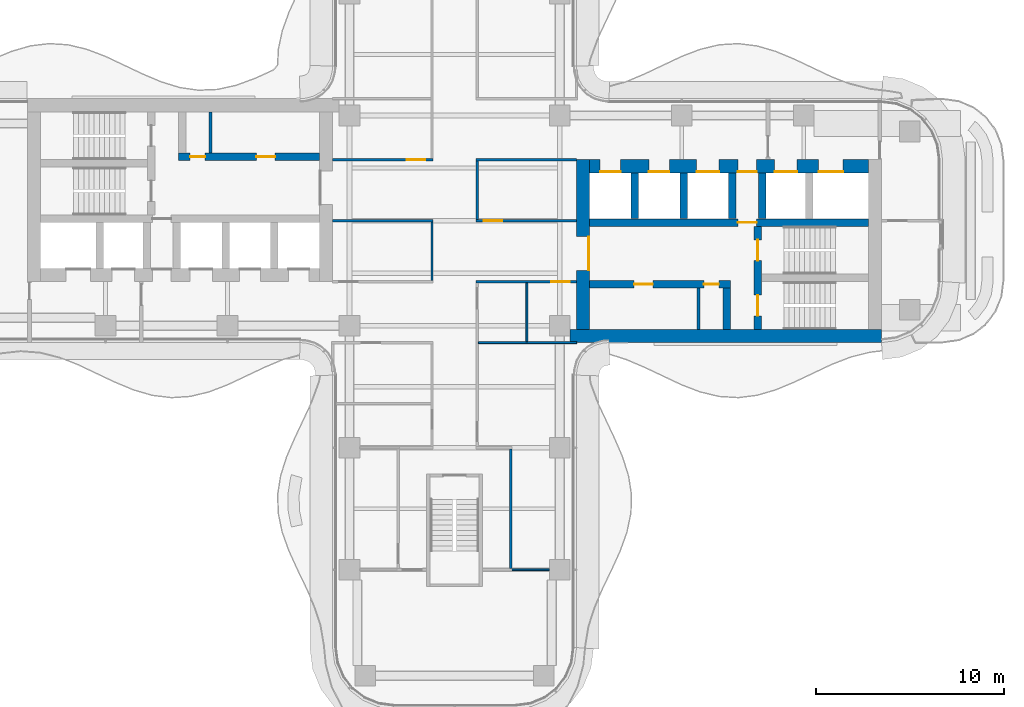
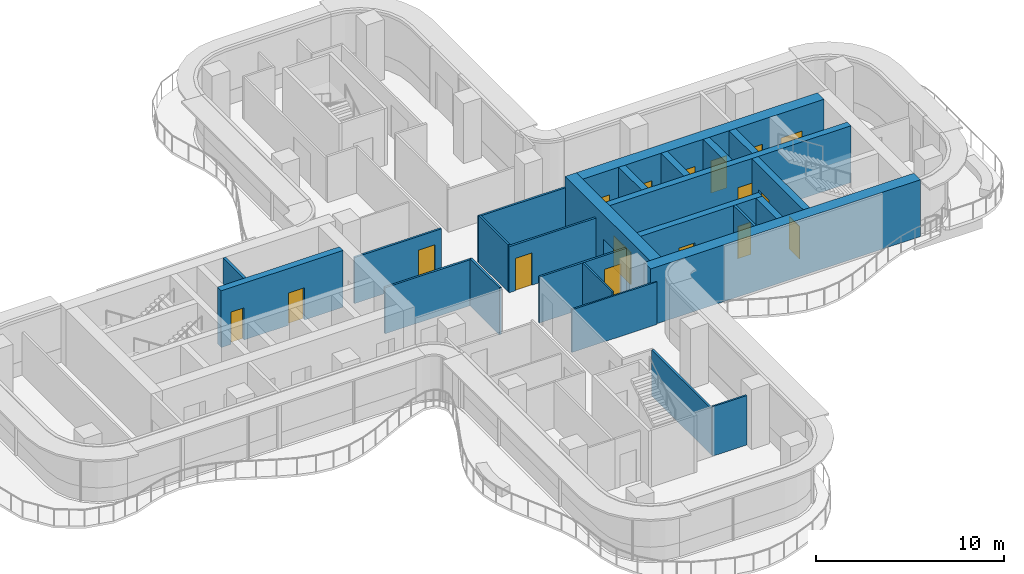
# One storey, part 13 of 17: 25 walls, 17 doors, 17 openings.
"""IFC4 building model written with IfcOpenShell, lengths in metres."""

from ifc_helpers import new_model, si_unit, direction, frame, frame_2d, origin, place, context, subcontext, project, spatial, rectangle, extrude, source, transform, mapped, material, layer, layer_set, type_object, element, fill, save


model = new_model("IFC4")

# Units and contexts
model_context = context("Model", 3, precision=1e-05, world=origin(), true_north=direction((0.0, 1.0)))
body_context = subcontext(model_context, "Body", "Model", "MODEL_VIEW")
ifc_project = project(units=[si_unit("LENGTHUNIT", "METRE"), si_unit("AREAUNIT", "SQUARE_METRE"), si_unit("VOLUMEUNIT", "CUBIC_METRE"), si_unit("PLANEANGLEUNIT", "RADIAN"), si_unit("MASSUNIT", "GRAM", prefix="KILO")], contexts=[model_context])

# Site, building, storey
site_placement = place(None, origin())
site = spatial("IfcSite", under=ifc_project, at=site_placement, CompositionType="ELEMENT")
building_placement = place(site_placement, origin())
building = spatial("IfcBuilding", under=site, at=building_placement, Name="Trellis Farm Tower", CompositionType="ELEMENT")
storey_placement = place(building_placement, frame((0.0, 0.0, 220.699951171875)))
storey = spatial("IfcBuildingStorey", under=building, at=storey_placement, Name="L48", CompositionType="ELEMENT", Elevation=220.699951171875)

# Wall, opening, door
ifc_material_1 = material(Name="Concrete C60/75", Category="concrete")
ifc_layer_1 = layer(ifc_material_1, 0.699951171875)
ifc_layer_set_1 = layer_set([ifc_layer_1], Name="CORE OUTER WALL 700 CONCRETE C60/75")
wall_type_1 = type_object("IfcWallType", Name="CORE OUTER WALL 700 CONCRETE C60/75", PredefinedType="SHEAR", material=ifc_layer_set_1)
shared_shape_1 = source(origin(), body_context, "Body", "SweptSolid", [
    extrude(rectangle(XDim=9.050048828125, YDim=0.699951171875, at=frame_2d((4.52490234375, 0.0))), origin(), (0.0, 0.0, 1.0), 3.699951171875),
])
wall_1_placement = place(storey_placement, frame((6.85009765625, -5.800048828125, 0.0), z_axis=(0.0, 0.0, 1.0), x_axis=(0.0, 1.0, 0.0)))
wall_1 = element("IfcWall", 1, at=wall_1_placement, inside=storey, type_object=wall_type_1, Name="Core wall", PredefinedType="SHEAR", context=body_context, shape_type="MappedRepresentation", body=[
    mapped(shared_shape_1, transform((0.0, 0.0, 0.0))),
])
shared_shape_2 = source(origin(), body_context, "Body", "SweptSolid", [
    extrude(rectangle(XDim=1.800048828125, YDim=2.10009765625, at=frame_2d((0.89990234375, 1.050048828125))), frame((0.0, 0.360107421875, 0.0), z_axis=(0.0, -1.0, 0.0), x_axis=(1.0, 0.0, 0.0)), (0.0, 0.0, 1.0), 0.72021484375),
])
opening_1_placement = place(wall_1_placement, frame((3.14990234375, 0.0, 0.0)))
opening_1 = element("IfcOpeningElement", 2, at=opening_1_placement, cuts=wall_1, Name="Opening DC1", PredefinedType="OPENING", context=body_context, shape_type="MappedRepresentation", body=[
    mapped(shared_shape_2, transform((0.0, 0.0, 0.0))),
])
ifc_material_2 = material(Name="Steel", Category="steel")
door_type_1 = type_object("IfcDoorType", Name="CORE FIRE DOOR DOUBLE 1800 X 2100", OperationType="DOUBLE_DOOR_SINGLE_SWING", PredefinedType="DOOR", material=ifc_material_2)
shared_shape_3 = source(origin(), body_context, "Body", "SweptSolid", [
    extrude(rectangle(XDim=1.800048828125, YDim=2.10009765625, at=frame_2d((0.89990234375, 1.050048828125))), frame((0.0, -0.27490234375, 0.0), z_axis=(0.0, -1.0, 0.0), x_axis=(1.0, 0.0, 0.0)), (0.0, 0.0, 1.0), 0.050048828125),
])
door_1_placement = place(opening_1_placement, origin())
door_1 = element("IfcDoor", 3, at=door_1_placement, inside=storey, type_object=door_type_1, Name="Core door", OperationType="DOUBLE_DOOR_SINGLE_SWING", OverallHeight=2.10009765625, OverallWidth=1.800048828125, PredefinedType="DOOR", context=body_context, shape_type="MappedRepresentation", body=[
    mapped(shared_shape_3, transform((0.0, 0.0, 0.0))),
])
fill(opening_1, door_1)

# Walls
ifc_layer_2 = layer(ifc_material_1, 0.39990234375)
ifc_layer_set_2 = layer_set([ifc_layer_2], Name="CORE INNER WALL 400 CONCRETE C60/75")
wall_type_2 = type_object("IfcWallType", Name="CORE INNER WALL 400 CONCRETE C60/75", PredefinedType="SHEAR", material=ifc_layer_set_2)
shared_shape_4 = source(origin(), body_context, "Body", "SweptSolid", [
    extrude(rectangle(XDim=2.449951171875, YDim=0.39990234375, at=frame_2d((1.22509765625, 0.0))), origin(), (0.0, 0.0, 1.0), 3.699951171875),
])
for number, where, z_axis, x_axis, name in (
    (4, (9.60009765625, 0.10009765625, 0.0), (0.0, 0.0, 1.0), (0.0, 1.0, 0.0), "Core wall"),
    (5, (12.199951171875, 0.10009765625, 0.0), (0.0, 0.0, 1.0), (0.0, 1.0, 0.0), "Core wall"),
    (6, (14.800048828125, 0.10009765625, 0.0), (0.0, 0.0, 1.0), (0.0, 1.0, 0.0), "Core wall"),
    (7, (16.39990234375, 0.10009765625, 0.0), (0.0, 0.0, 1.0), (0.0, 1.0, 0.0), "Core wall"),
):
    element("IfcWall", number, at=place(storey_placement, frame(where, z_axis=z_axis, x_axis=x_axis)), inside=storey, type_object=wall_type_2, Name=name, PredefinedType="SHEAR", context=body_context, shape_type="MappedRepresentation", body=[
        mapped(shared_shape_4, transform((0.0, 0.0, 0.0))),
    ])

# Wall, openings, doors
shared_shape_5 = source(origin(), body_context, "Body", "SweptSolid", [
    extrude(rectangle(XDim=14.85009765625, YDim=0.699951171875, at=frame_2d((7.425048828125, 0.0))), origin(), (0.0, 0.0, 1.0), 3.699951171875),
])
wall_2_placement = place(storey_placement, frame((7.199951171875, 2.89990234375, 0.0), z_axis=(0.0, 0.0, 1.0), x_axis=(1.0, 0.0, 0.0)))
wall_2 = element("IfcWall", 8, at=wall_2_placement, inside=storey, type_object=wall_type_1, Name="Core wall", PredefinedType="SHEAR", context=body_context, shape_type="MappedRepresentation", body=[
    mapped(shared_shape_5, transform((0.0, 0.0, 0.0))),
])
shared_shape_6 = source(origin(), body_context, "Body", "SweptSolid", [
    extrude(rectangle(XDim=1.10009765625, YDim=2.10009765625, at=frame_2d((0.550048828125, 1.050048828125))), frame((0.0, 0.360107421875, 0.0), z_axis=(0.0, -1.0, 0.0), x_axis=(1.0, 0.0, 0.0)), (0.0, 0.0, 1.0), 0.72021484375),
])
opening_2_placement = place(wall_2_placement, frame((0.550048828125, 0.0, 0.0)))
opening_2 = element("IfcOpeningElement", 9, at=opening_2_placement, cuts=wall_2, Name="Opening LD4", PredefinedType="OPENING", context=body_context, shape_type="MappedRepresentation", body=[
    mapped(shared_shape_6, transform((0.0, 0.0, 0.0))),
])
opening_3_placement = place(wall_2_placement, frame((3.14990234375, 0.0, 0.0)))
opening_3 = element("IfcOpeningElement", 10, at=opening_3_placement, cuts=wall_2, Name="Opening LD5", PredefinedType="OPENING", context=body_context, shape_type="MappedRepresentation", body=[
    mapped(shared_shape_6, transform((0.0, 0.0, 0.0))),
])
shared_shape_7 = source(origin(), body_context, "Body", "SweptSolid", [
    extrude(rectangle(XDim=1.199951171875, YDim=2.10009765625, at=frame_2d((0.60009765625, 1.050048828125))), frame((0.0, 0.360107421875, 0.0), z_axis=(0.0, -1.0, 0.0), x_axis=(1.0, 0.0, 0.0)), (0.0, 0.0, 1.0), 0.72021484375),
])
opening_4_placement = place(wall_2_placement, frame((5.699951171875, 0.0, 0.0)))
opening_4 = element("IfcOpeningElement", 11, at=opening_4_placement, cuts=wall_2, Name="Opening LD6", PredefinedType="OPENING", context=body_context, shape_type="MappedRepresentation", body=[
    mapped(shared_shape_7, transform((0.0, 0.0, 0.0))),
])
shared_shape_8 = source(origin(), body_context, "Body", "SweptSolid", [
    extrude(rectangle(XDim=1.300048828125, YDim=2.10009765625, at=frame_2d((0.64990234375, 1.050048828125))), frame((0.0, 0.360107421875, 0.0), z_axis=(0.0, -1.0, 0.0), x_axis=(1.0, 0.0, 0.0)), (0.0, 0.0, 1.0), 0.72021484375),
])
opening_5_placement = place(wall_2_placement, frame((12.199951171875, 0.0, 0.0)))
opening_5 = element("IfcOpeningElement", 12, at=opening_5_placement, cuts=wall_2, Name="Opening LD7", PredefinedType="OPENING", context=body_context, shape_type="MappedRepresentation", body=[
    mapped(shared_shape_8, transform((0.0, 0.0, 0.0))),
])
opening_6_placement = place(wall_2_placement, frame((9.85009765625, 0.0, 0.0)))
opening_6 = element("IfcOpeningElement", 13, at=opening_6_placement, cuts=wall_2, Name="Opening LD8", PredefinedType="OPENING", context=body_context, shape_type="MappedRepresentation", body=[
    mapped(shared_shape_7, transform((0.0, 0.0, 0.0))),
])
shared_shape_9 = source(origin(), body_context, "Body", "SweptSolid", [
    extrude(rectangle(XDim=1.0, YDim=2.10009765625, at=frame_2d((0.5, 1.050048828125))), frame((0.0, 0.360107421875, 0.0), z_axis=(0.0, -1.0, 0.0), x_axis=(1.0, 0.0, 0.0)), (0.0, 0.0, 1.0), 0.72021484375),
])
opening_7_placement = place(wall_2_placement, frame((7.89990234375, 0.0, 0.0)))
opening_7 = element("IfcOpeningElement", 14, at=opening_7_placement, cuts=wall_2, Name="Opening DC6", PredefinedType="OPENING", context=body_context, shape_type="MappedRepresentation", body=[
    mapped(shared_shape_9, transform((0.0, 0.0, 0.0))),
])
door_type_2 = type_object("IfcDoorType", Name="CORE FIRE DOOR 1000 X 2100", OperationType="NOTDEFINED", PredefinedType="DOOR", material=ifc_material_2)
shared_shape_10 = source(origin(), body_context, "Body", "SweptSolid", [
    extrude(rectangle(XDim=1.0, YDim=2.10009765625, at=frame_2d((0.5, 1.050048828125))), frame((0.0, -0.27490234375, 0.0), z_axis=(0.0, -1.0, 0.0), x_axis=(1.0, 0.0, 0.0)), (0.0, 0.0, 1.0), 0.050048828125),
])
door_2_placement = place(opening_7_placement, origin())
door_2 = element("IfcDoor", 15, at=door_2_placement, inside=storey, type_object=door_type_2, Name="Core door", OperationType="SINGLE_SWING_LEFT", OverallHeight=2.10009765625, OverallWidth=1.0, PredefinedType="DOOR", context=body_context, shape_type="MappedRepresentation", body=[
    mapped(shared_shape_10, transform((0.0, 0.0, 0.0))),
])
fill(opening_7, door_2)
ifc_material_3 = material(Name="Stainless steel", Category="steel")
door_type_3 = type_object("IfcDoorType", Name="LIFT LANDING DOOR 1300 X 2100", OperationType="DOUBLE_DOOR_SLIDING", PredefinedType="DOOR", material=ifc_material_3)
shared_shape_11 = source(origin(), body_context, "Body", "SweptSolid", [
    extrude(rectangle(XDim=1.300048828125, YDim=2.10009765625, at=frame_2d((0.64990234375, 1.050048828125))), frame((0.0, -0.27490234375, 0.0), z_axis=(0.0, -1.0, 0.0), x_axis=(1.0, 0.0, 0.0)), (0.0, 0.0, 1.0), 0.050048828125),
])
door_3_placement = place(opening_5_placement, origin())
door_3 = element("IfcDoor", 16, at=door_3_placement, inside=storey, type_object=door_type_3, Name="Lift landing door", OperationType="DOUBLE_DOOR_SLIDING", OverallHeight=2.10009765625, OverallWidth=1.300048828125, PredefinedType="DOOR", context=body_context, shape_type="MappedRepresentation", body=[
    mapped(shared_shape_11, transform((0.0, 0.0, 0.0))),
])
fill(opening_5, door_3)
door_type_4 = type_object("IfcDoorType", Name="LIFT LANDING DOOR 1200 X 2100", OperationType="DOUBLE_DOOR_SLIDING", PredefinedType="DOOR", material=ifc_material_3)
shared_shape_12 = source(origin(), body_context, "Body", "SweptSolid", [
    extrude(rectangle(XDim=1.199951171875, YDim=2.10009765625, at=frame_2d((0.60009765625, 1.050048828125))), frame((0.0, -0.27490234375, 0.0), z_axis=(0.0, -1.0, 0.0), x_axis=(1.0, 0.0, 0.0)), (0.0, 0.0, 1.0), 0.050048828125),
])
door_4_placement = place(opening_4_placement, origin())
door_4 = element("IfcDoor", 17, at=door_4_placement, inside=storey, type_object=door_type_4, Name="Lift landing door", OperationType="DOUBLE_DOOR_SLIDING", OverallHeight=2.10009765625, OverallWidth=1.199951171875, PredefinedType="DOOR", context=body_context, shape_type="MappedRepresentation", body=[
    mapped(shared_shape_12, transform((0.0, 0.0, 0.0))),
])
fill(opening_4, door_4)
door_5_placement = place(opening_6_placement, origin())
door_5 = element("IfcDoor", 18, at=door_5_placement, inside=storey, type_object=door_type_4, Name="Lift landing door", OperationType="DOUBLE_DOOR_SLIDING", OverallHeight=2.10009765625, OverallWidth=1.199951171875, PredefinedType="DOOR", context=body_context, shape_type="MappedRepresentation", body=[
    mapped(shared_shape_12, transform((0.0, 0.0, 0.0))),
])
fill(opening_6, door_5)
door_type_5 = type_object("IfcDoorType", Name="LIFT LANDING DOOR 1100 X 2100", OperationType="DOUBLE_DOOR_SLIDING", PredefinedType="DOOR", material=ifc_material_3)
shared_shape_13 = source(origin(), body_context, "Body", "SweptSolid", [
    extrude(rectangle(XDim=1.10009765625, YDim=2.10009765625, at=frame_2d((0.550048828125, 1.050048828125))), frame((0.0, -0.27490234375, 0.0), z_axis=(0.0, -1.0, 0.0), x_axis=(1.0, 0.0, 0.0)), (0.0, 0.0, 1.0), 0.050048828125),
])
door_6_placement = place(opening_2_placement, origin())
door_6 = element("IfcDoor", 19, at=door_6_placement, inside=storey, type_object=door_type_5, Name="Lift landing door", OperationType="DOUBLE_DOOR_SLIDING", OverallHeight=2.10009765625, OverallWidth=1.10009765625, PredefinedType="DOOR", context=body_context, shape_type="MappedRepresentation", body=[
    mapped(shared_shape_13, transform((0.0, 0.0, 0.0))),
])
fill(opening_2, door_6)
door_7_placement = place(opening_3_placement, origin())
door_7 = element("IfcDoor", 20, at=door_7_placement, inside=storey, type_object=door_type_5, Name="Lift landing door", OperationType="DOUBLE_DOOR_SLIDING", OverallHeight=2.10009765625, OverallWidth=1.10009765625, PredefinedType="DOOR", context=body_context, shape_type="MappedRepresentation", body=[
    mapped(shared_shape_13, transform((0.0, 0.0, 0.0))),
])
fill(opening_3, door_7)

shared_shape_14 = source(origin(), body_context, "Body", "SweptSolid", [
    extrude(rectangle(XDim=7.5, YDim=0.39990234375, at=frame_2d((3.75, 0.0))), origin(), (0.0, 0.0, 1.0), 3.699951171875),
])
wall_3_placement = place(storey_placement, frame((7.199951171875, -3.39990234375, 0.0), z_axis=(0.0, 0.0, 1.0), x_axis=(1.0, 0.0, 0.0)))
wall_3 = element("IfcWall", 21, at=wall_3_placement, inside=storey, type_object=wall_type_2, Name="Core wall", PredefinedType="SHEAR", context=body_context, shape_type="MappedRepresentation", body=[
    mapped(shared_shape_14, transform((0.0, 0.0, 0.0))),
])
shared_shape_15 = source(origin(), body_context, "Body", "SweptSolid", [
    extrude(rectangle(XDim=1.0, YDim=2.10009765625, at=frame_2d((0.5, 1.050048828125))), frame((0.0, 0.2099609375, 0.0), z_axis=(0.0, -1.0, 0.0), x_axis=(1.0, 0.0, 0.0)), (0.0, 0.0, 1.0), 0.419921875),
])
opening_8_placement = place(wall_3_placement, frame((2.362548828125, 0.0, 0.0)))
opening_8 = element("IfcOpeningElement", 22, at=opening_8_placement, cuts=wall_3, Name="Opening DC55", PredefinedType="OPENING", context=body_context, shape_type="MappedRepresentation", body=[
    mapped(shared_shape_15, transform((0.0, 0.0, 0.0))),
])
shared_shape_16 = source(origin(), body_context, "Body", "SweptSolid", [
    extrude(rectangle(XDim=0.800048828125, YDim=2.10009765625, at=frame_2d((0.39990234375, 1.050048828125))), frame((0.0, 0.2099609375, 0.0), z_axis=(0.0, -1.0, 0.0), x_axis=(1.0, 0.0, 0.0)), (0.0, 0.0, 1.0), 0.419921875),
])
opening_9_placement = place(wall_3_placement, frame((6.08740234375, 0.0, 0.0)))
opening_9 = element("IfcOpeningElement", 23, at=opening_9_placement, cuts=wall_3, Name="Opening DC58", PredefinedType="OPENING", context=body_context, shape_type="MappedRepresentation", body=[
    mapped(shared_shape_16, transform((0.0, 0.0, 0.0))),
])
shared_shape_17 = source(origin(), body_context, "Body", "SweptSolid", [
    extrude(rectangle(XDim=1.0, YDim=2.10009765625, at=frame_2d((0.5, 1.050048828125))), frame((0.0, 0.02490234375, 0.0), z_axis=(0.0, -1.0, 0.0), x_axis=(1.0, 0.0, 0.0)), (0.0, 0.0, 1.0), 0.050048828125),
])
door_8_placement = place(opening_8_placement, origin())
door_8 = element("IfcDoor", 24, at=door_8_placement, inside=storey, type_object=door_type_2, Name="Core door", OperationType="SINGLE_SWING_LEFT", OverallHeight=2.10009765625, OverallWidth=1.0, PredefinedType="DOOR", context=body_context, shape_type="MappedRepresentation", body=[
    mapped(shared_shape_17, transform((0.0, 0.0, 0.0))),
])
fill(opening_8, door_8)
door_type_6 = type_object("IfcDoorType", Name="CORE FIRE DOOR 800 X 2100", OperationType="NOTDEFINED", PredefinedType="DOOR", material=ifc_material_2)
shared_shape_18 = source(origin(), body_context, "Body", "SweptSolid", [
    extrude(rectangle(XDim=0.800048828125, YDim=2.10009765625, at=frame_2d((0.39990234375, 1.050048828125))), frame((0.0, 0.02490234375, 0.0), z_axis=(0.0, -1.0, 0.0), x_axis=(1.0, 0.0, 0.0)), (0.0, 0.0, 1.0), 0.050048828125),
])
door_9_placement = place(opening_9_placement, origin())
door_9 = element("IfcDoor", 25, at=door_9_placement, inside=storey, type_object=door_type_6, Name="Core door", OperationType="SINGLE_SWING_RIGHT", OverallHeight=2.10009765625, OverallWidth=0.800048828125, PredefinedType="DOOR", context=body_context, shape_type="MappedRepresentation", body=[
    mapped(shared_shape_18, transform((0.0, 0.0, 0.0))),
])
fill(opening_9, door_9)

wall_4_placement = place(storey_placement, frame((-7.199951171875, 3.39990234375, 0.0), z_axis=(0.0, 0.0, 1.0), x_axis=(-1.0, 0.0, 0.0)))
wall_4 = element("IfcWall", 26, at=wall_4_placement, inside=storey, type_object=wall_type_2, Name="Core wall", PredefinedType="SHEAR", context=body_context, shape_type="MappedRepresentation", body=[
    mapped(shared_shape_14, transform((0.0, 0.0, 0.0))),
])
opening_10_placement = place(wall_4_placement, frame((2.362548828125, 0.0, 0.0)))
opening_10 = element("IfcOpeningElement", 27, at=opening_10_placement, cuts=wall_4, Name="Opening DC141", PredefinedType="OPENING", context=body_context, shape_type="MappedRepresentation", body=[
    mapped(shared_shape_15, transform((0.0, 0.0, 0.0))),
])
opening_11_placement = place(wall_4_placement, frame((6.08740234375, 0.0, 0.0)))
opening_11 = element("IfcOpeningElement", 28, at=opening_11_placement, cuts=wall_4, Name="Opening DC144", PredefinedType="OPENING", context=body_context, shape_type="MappedRepresentation", body=[
    mapped(shared_shape_16, transform((0.0, 0.0, 0.0))),
])
door_10_placement = place(opening_10_placement, origin())
door_10 = element("IfcDoor", 29, at=door_10_placement, inside=storey, type_object=door_type_2, Name="Core door", OperationType="SINGLE_SWING_LEFT", OverallHeight=2.10009765625, OverallWidth=1.0, PredefinedType="DOOR", context=body_context, shape_type="MappedRepresentation", body=[
    mapped(shared_shape_17, transform((0.0, 0.0, 0.0))),
])
fill(opening_10, door_10)
door_11_placement = place(opening_11_placement, origin())
door_11 = element("IfcDoor", 30, at=door_11_placement, inside=storey, type_object=door_type_6, Name="Core door", OperationType="SINGLE_SWING_RIGHT", OverallHeight=2.10009765625, OverallWidth=0.800048828125, PredefinedType="DOOR", context=body_context, shape_type="MappedRepresentation", body=[
    mapped(shared_shape_18, transform((0.0, 0.0, 0.0))),
])
fill(opening_11, door_11)

# Wall, opening, door
shared_shape_19 = source(origin(), body_context, "Body", "SweptSolid", [
    extrude(rectangle(XDim=14.85009765625, YDim=0.39990234375, at=frame_2d((7.425048828125, 0.0))), origin(), (0.0, 0.0, 1.0), 3.699951171875),
])
wall_5_placement = place(storey_placement, frame((7.199951171875, -0.10009765625, 0.0), z_axis=(0.0, 0.0, 1.0), x_axis=(1.0, 0.0, 0.0)))
wall_5 = element("IfcWall", 31, at=wall_5_placement, inside=storey, type_object=wall_type_2, Name="Core wall", PredefinedType="SHEAR", context=body_context, shape_type="MappedRepresentation", body=[
    mapped(shared_shape_19, transform((0.0, 0.0, 0.0))),
])
opening_12_placement = place(wall_5_placement, frame((7.89990234375, 0.0, 0.0)))
opening_12 = element("IfcOpeningElement", 32, at=opening_12_placement, cuts=wall_5, Name="Opening DC5", PredefinedType="OPENING", context=body_context, shape_type="MappedRepresentation", body=[
    mapped(shared_shape_15, transform((0.0, 0.0, 0.0))),
])
door_12_placement = place(opening_12_placement, origin())
door_12 = element("IfcDoor", 33, at=door_12_placement, inside=storey, type_object=door_type_2, Name="Core door", OperationType="SINGLE_SWING_RIGHT", OverallHeight=2.10009765625, OverallWidth=1.0, PredefinedType="DOOR", context=body_context, shape_type="MappedRepresentation", body=[
    mapped(shared_shape_17, transform((0.0, 0.0, 0.0))),
])
fill(opening_12, door_12)

# Wall, openings, doors
shared_shape_20 = source(origin(), body_context, "Body", "SweptSolid", [
    extrude(rectangle(XDim=5.5, YDim=0.39990234375, at=frame_2d((2.75, 0.0))), origin(), (0.0, 0.0, 1.0), 3.699951171875),
])
wall_6_placement = place(storey_placement, frame((16.14990234375, -5.800048828125, 0.0), z_axis=(0.0, 0.0, 1.0), x_axis=(0.0, 1.0, 0.0)))
wall_6 = element("IfcWall", 34, at=wall_6_placement, inside=storey, type_object=wall_type_2, Name="Core wall", PredefinedType="SHEAR", context=body_context, shape_type="MappedRepresentation", body=[
    mapped(shared_shape_20, transform((0.0, 0.0, 0.0))),
])
shared_shape_21 = source(origin(), body_context, "Body", "SweptSolid", [
    extrude(rectangle(XDim=1.10009765625, YDim=2.10009765625, at=frame_2d((0.550048828125, 1.050048828125))), frame((0.0, 0.2099609375, 0.0), z_axis=(0.0, -1.0, 0.0), x_axis=(1.0, 0.0, 0.0)), (0.0, 0.0, 1.0), 0.419921875),
])
opening_13_placement = place(wall_6_placement, frame((0.72509765625, 0.0, 0.0)))
opening_13 = element("IfcOpeningElement", 35, at=opening_13_placement, cuts=wall_6, Name="Opening DC2", PredefinedType="OPENING", context=body_context, shape_type="MappedRepresentation", body=[
    mapped(shared_shape_21, transform((0.0, 0.0, 0.0))),
])
opening_14_placement = place(wall_6_placement, frame((3.675048828125, 0.0, 0.0)))
opening_14 = element("IfcOpeningElement", 36, at=opening_14_placement, cuts=wall_6, Name="Opening DC3", PredefinedType="OPENING", context=body_context, shape_type="MappedRepresentation", body=[
    mapped(shared_shape_21, transform((0.0, 0.0, 0.0))),
])
door_type_7 = type_object("IfcDoorType", Name="CORE FIRE DOOR 1100 X 2100", OperationType="NOTDEFINED", PredefinedType="DOOR", material=ifc_material_2)
shared_shape_22 = source(origin(), body_context, "Body", "SweptSolid", [
    extrude(rectangle(XDim=1.10009765625, YDim=2.10009765625, at=frame_2d((0.550048828125, 1.050048828125))), frame((0.0, 0.02490234375, 0.0), z_axis=(0.0, -1.0, 0.0), x_axis=(1.0, 0.0, 0.0)), (0.0, 0.0, 1.0), 0.050048828125),
])
door_13_placement = place(opening_13_placement, origin())
door_13 = element("IfcDoor", 37, at=door_13_placement, inside=storey, type_object=door_type_7, Name="Core door", OperationType="SINGLE_SWING_RIGHT", OverallHeight=2.10009765625, OverallWidth=1.10009765625, PredefinedType="DOOR", context=body_context, shape_type="MappedRepresentation", body=[
    mapped(shared_shape_22, transform((0.0, 0.0, 0.0))),
])
fill(opening_13, door_13)
door_14_placement = place(opening_14_placement, origin())
door_14 = element("IfcDoor", 38, at=door_14_placement, inside=storey, type_object=door_type_7, Name="Core door", OperationType="SINGLE_SWING_LEFT", OverallHeight=2.10009765625, OverallWidth=1.10009765625, PredefinedType="DOOR", context=body_context, shape_type="MappedRepresentation", body=[
    mapped(shared_shape_22, transform((0.0, 0.0, 0.0))),
])
fill(opening_14, door_14)

# Walls
shared_shape_23 = source(origin(), body_context, "Body", "SweptSolid", [
    extrude(rectangle(XDim=2.199951171875, YDim=0.39990234375, at=frame_2d((1.10009765625, 0.0))), origin(), (0.0, 0.0, 1.0), 3.699951171875),
])
wall_7_placement = place(storey_placement, frame((14.5, -5.800048828125, 0.0), z_axis=(0.0, 0.0, 1.0), x_axis=(0.0, 1.0, 0.0)))
element("IfcWall", 39, at=wall_7_placement, inside=storey, type_object=wall_type_2, Name="Core wall", PredefinedType="SHEAR", context=body_context, shape_type="MappedRepresentation", body=[
    mapped(shared_shape_23, transform((0.0, 0.0, 0.0))),
])
ifc_material_4 = material(Name="Masonry blockwork", Category="masonry")
ifc_layer_3 = layer(ifc_material_4, 0.14990234375)
ifc_layer_set_3 = layer_set([ifc_layer_3], Name="CORE PARTITION 150 BLOCKWORK")
wall_type_3 = type_object("IfcWallType", Name="CORE PARTITION 150 BLOCKWORK", PredefinedType="PARTITIONING", material=ifc_layer_set_3)
shared_shape_24 = source(origin(), body_context, "Body", "SweptSolid", [
    extrude(rectangle(XDim=2.199951171875, YDim=0.14990234375, at=frame_2d((1.10009765625, 0.0))), origin(), (0.0, 0.0, 1.0), 3.699951171875),
])
for number, where, z_axis, x_axis, name in (
    (40, (13.0, -5.800048828125, 0.0), (0.0, 0.0, 1.0), (0.0, 1.0, 0.0), "Core room partition"),
    (41, (-13.0, 5.800048828125, 0.0), (0.0, 0.0, 1.0), (0.0, -1.0, 0.0), "Core room partition"),
):
    element("IfcWall", number, at=place(storey_placement, frame(where, z_axis=z_axis, x_axis=x_axis)), inside=storey, type_object=wall_type_3, Name=name, PredefinedType="PARTITIONING", context=body_context, shape_type="MappedRepresentation", body=[
        mapped(shared_shape_24, transform((0.0, 0.0, 0.0))),
    ])
shared_shape_25 = source(origin(), body_context, "Body", "SweptSolid", [
    extrude(rectangle(XDim=16.60009765625, YDim=0.699951171875, at=frame_2d((8.300048828125, 0.0))), origin(), (0.0, 0.0, 1.0), 3.699951171875),
])
wall_8_placement = place(storey_placement, frame((6.14990234375, -6.14990234375, 0.0), z_axis=(0.0, 0.0, 1.0), x_axis=(1.0, 0.0, 0.0)))
element("IfcWall", 42, at=wall_8_placement, inside=storey, type_object=wall_type_1, Name="Core wall", PredefinedType="SHEAR", context=body_context, shape_type="MappedRepresentation", body=[
    mapped(shared_shape_25, transform((0.0, 0.0, 0.0))),
])
ifc_material_5 = material(Name="Plasterboard on steel studs, mineral wool", Category="steel")
ifc_layer_4 = layer(ifc_material_5, 0.125)
ifc_layer_set_4 = layer_set([ifc_layer_4], Name="PARTITION 125 STUD EI 60")
wall_type_4 = type_object("IfcWallType", Name="PARTITION 125 STUD EI 60", PredefinedType="PARTITIONING", material=ifc_layer_set_4)
shared_shape_26 = source(origin(), body_context, "Body", "SweptSolid", [
    extrude(rectangle(XDim=3.125, YDim=0.125, at=frame_2d((1.5625, 0.0))), origin(), (0.0, 0.0, 1.0), 3.06787109375),
])
for number, where, z_axis, x_axis, name in (
    (43, (-1.199951171875, -0.0625, 0.0), (0.0, 0.0, 1.0), (0.0, -1.0, 0.0), "Partition PW1"),
    (44, (1.199951171875, 3.1875, 0.0), (0.0, 0.0, 1.0), (0.0, -1.0, 0.0), "Partition PW1"),
):
    element("IfcWall", number, at=place(storey_placement, frame(where, z_axis=z_axis, x_axis=x_axis)), inside=storey, type_object=wall_type_4, Name=name, PredefinedType="PARTITIONING", context=body_context, shape_type="MappedRepresentation", body=[
        mapped(shared_shape_26, transform((0.0, 0.0, 0.0))),
    ])

# Wall, opening, door
shared_shape_27 = source(origin(), body_context, "Body", "SweptSolid", [
    extrude(rectangle(XDim=5.362548828125, YDim=0.125, at=frame_2d((2.68115234375, 0.0))), origin(), (0.0, 0.0, 1.0), 2.99658203125),
])
wall_9_placement = place(storey_placement, frame((6.5, -3.25, 0.0), z_axis=(0.0, 0.0, 1.0), x_axis=(-1.0, 0.0, 0.0)))
wall_9 = element("IfcWall", 45, at=wall_9_placement, inside=storey, type_object=wall_type_4, Name="Partition PW1", PredefinedType="PARTITIONING", context=body_context, shape_type="MappedRepresentation", body=[
    mapped(shared_shape_27, transform((0.0, 0.0, 0.0))),
])
shared_shape_28 = source(origin(), body_context, "Body", "SweptSolid", [
    extrude(rectangle(XDim=1.0, YDim=2.10009765625, at=frame_2d((0.5, 1.050048828125))), frame((0.0, 0.072509765625, 0.0), z_axis=(0.0, -1.0, 0.0), x_axis=(1.0, 0.0, 0.0)), (0.0, 0.0, 1.0), 0.14501953125),
])
opening_15_placement = place(wall_9_placement, frame((0.35009765625, 0.0, 0.0)))
opening_15 = element("IfcOpeningElement", 46, at=opening_15_placement, cuts=wall_9, Name="Opening D107", PredefinedType="OPENING", context=body_context, shape_type="MappedRepresentation", body=[
    mapped(shared_shape_28, transform((0.0, 0.0, 0.0))),
])
ifc_material_6 = material(Name="Fire-rated timber door leaf in a hollow metal frame", Category="wood")
door_type_8 = type_object("IfcDoorType", Name="DOOR 1000x2100 FD30S", OperationType="NOTDEFINED", PredefinedType="DOOR", material=ifc_material_6)
door_15_placement = place(opening_15_placement, origin())
door_15 = element("IfcDoor", 47, at=door_15_placement, inside=storey, type_object=door_type_8, Name="Door D107", OperationType="SINGLE_SWING_LEFT", OverallHeight=2.10009765625, OverallWidth=1.0, PredefinedType="DOOR", context=body_context, shape_type="MappedRepresentation", body=[
    mapped(shared_shape_17, transform((0.0, 0.0, 0.0))),
])
fill(opening_15, door_15)

# Wall
wall_10_placement = place(storey_placement, frame((-1.137451171875, 0.0, 0.0), z_axis=(0.0, 0.0, 1.0), x_axis=(-1.0, 0.0, 0.0)))
element("IfcWall", 48, at=wall_10_placement, inside=storey, type_object=wall_type_4, Name="Partition PW1", PredefinedType="PARTITIONING", context=body_context, shape_type="MappedRepresentation", body=[
    mapped(shared_shape_27, transform((0.0, 0.0, 0.0))),
])

# Wall, opening, door
wall_11_placement = place(storey_placement, frame((6.5, 0.0, 0.0), z_axis=(0.0, 0.0, 1.0), x_axis=(-1.0, 0.0, 0.0)))
wall_11 = element("IfcWall", 49, at=wall_11_placement, inside=storey, type_object=wall_type_4, Name="Partition PW1", PredefinedType="PARTITIONING", context=body_context, shape_type="MappedRepresentation", body=[
    mapped(shared_shape_27, transform((0.0, 0.0, 0.0))),
])
opening_16_placement = place(wall_11_placement, frame((3.949951171875, 0.0, 0.0)))
opening_16 = element("IfcOpeningElement", 50, at=opening_16_placement, cuts=wall_11, Name="Opening D108", PredefinedType="OPENING", context=body_context, shape_type="MappedRepresentation", body=[
    mapped(shared_shape_28, transform((0.0, 0.0, 0.0))),
])
door_16_placement = place(opening_16_placement, origin())
door_16 = element("IfcDoor", 51, at=door_16_placement, inside=storey, type_object=door_type_8, Name="Door D108", OperationType="SINGLE_SWING_RIGHT", OverallHeight=2.10009765625, OverallWidth=1.0, PredefinedType="DOOR", context=body_context, shape_type="MappedRepresentation", body=[
    mapped(shared_shape_17, transform((0.0, 0.0, 0.0))),
])
fill(opening_16, door_16)

wall_12_placement = place(storey_placement, frame((-6.5, 3.25, 0.0), z_axis=(0.0, 0.0, 1.0), x_axis=(1.0, 0.0, 0.0)))
wall_12 = element("IfcWall", 52, at=wall_12_placement, inside=storey, type_object=wall_type_4, Name="Partition PW1", PredefinedType="PARTITIONING", context=body_context, shape_type="MappedRepresentation", body=[
    mapped(shared_shape_27, transform((0.0, 0.0, 0.0))),
])
opening_17_placement = place(wall_12_placement, frame((3.949951171875, 0.0, 0.0)))
opening_17 = element("IfcOpeningElement", 53, at=opening_17_placement, cuts=wall_12, Name="Opening D110", PredefinedType="OPENING", context=body_context, shape_type="MappedRepresentation", body=[
    mapped(shared_shape_28, transform((0.0, 0.0, 0.0))),
])
door_17_placement = place(opening_17_placement, origin())
door_17 = element("IfcDoor", 54, at=door_17_placement, inside=storey, type_object=door_type_8, Name="Door D110", OperationType="SINGLE_SWING_RIGHT", OverallHeight=2.10009765625, OverallWidth=1.0, PredefinedType="DOOR", context=body_context, shape_type="MappedRepresentation", body=[
    mapped(shared_shape_17, transform((0.0, 0.0, 0.0))),
])
fill(opening_17, door_17)

# Walls
wall_13_placement = place(storey_placement, frame((1.137451171875, 3.25, 0.0), z_axis=(0.0, 0.0, 1.0), x_axis=(1.0, 0.0, 0.0)))
element("IfcWall", 55, at=wall_13_placement, inside=storey, type_object=wall_type_4, Name="Partition PW1", PredefinedType="PARTITIONING", context=body_context, shape_type="MappedRepresentation", body=[
    mapped(shared_shape_27, transform((0.0, 0.0, 0.0))),
])
ifc_material_7 = material(Name="Plasterboard on steel studs", Category="steel")
ifc_layer_5 = layer(ifc_material_7, 0.10009765625)
ifc_layer_set_5 = layer_set([ifc_layer_5], Name="PARTITION 100 STUD EI 30")
wall_type_5 = type_object("IfcWallType", Name="PARTITION 100 STUD EI 30", PredefinedType="PARTITIONING", material=ifc_layer_set_5)
shared_shape_29 = source(origin(), body_context, "Body", "SweptSolid", [
    extrude(rectangle(XDim=5.237548828125, YDim=0.10009765625, at=frame_2d((2.61865234375, 0.0))), origin(), (0.0, 0.0, 1.0), 2.780029296875),
])
wall_14_placement = place(storey_placement, frame((1.262451171875, -6.5, 0.0), z_axis=(0.0, 0.0, 1.0), x_axis=(1.0, 0.0, 0.0)))
element("IfcWall", 56, at=wall_14_placement, inside=storey, type_object=wall_type_5, Name="Partition PW2", PredefinedType="PARTITIONING", context=body_context, shape_type="MappedRepresentation", body=[
    mapped(shared_shape_29, transform((0.0, 0.0, 0.0))),
])
shared_shape_30 = source(origin(), body_context, "Body", "SweptSolid", [
    extrude(rectangle(XDim=6.387451171875, YDim=0.125, at=frame_2d((3.19384765625, 0.0))), origin(), (0.0, 0.0, 1.0), 2.99658203125),
])
wall_15_placement = place(storey_placement, frame((3.0, -12.16259765625, 0.0), z_axis=(0.0, 0.0, 1.0), x_axis=(0.0, -1.0, 0.0)))
element("IfcWall", 57, at=wall_15_placement, inside=storey, type_object=wall_type_4, Name="Partition PW1", PredefinedType="PARTITIONING", context=body_context, shape_type="MappedRepresentation", body=[
    mapped(shared_shape_30, transform((0.0, 0.0, 0.0))),
])
shared_shape_31 = source(origin(), body_context, "Body", "SweptSolid", [
    extrude(rectangle(XDim=2.112548828125, YDim=0.10009765625, at=frame_2d((1.05615234375, 0.0))), origin(), (0.0, 0.0, 1.0), 3.22314453125),
])
wall_16_placement = place(storey_placement, frame((2.9375, -18.60009765625, 0.0), z_axis=(0.0, 0.0, 1.0), x_axis=(1.0, 0.0, 0.0)))
element("IfcWall", 58, at=wall_16_placement, inside=storey, type_object=wall_type_5, Name="Partition PW2", PredefinedType="PARTITIONING", context=body_context, shape_type="MappedRepresentation", body=[
    mapped(shared_shape_31, transform((0.0, 0.0, 0.0))),
])
shared_shape_32 = source(origin(), body_context, "Body", "SweptSolid", [
    extrude(rectangle(XDim=3.137451171875, YDim=0.10009765625, at=frame_2d((1.56884765625, 0.0))), origin(), (0.0, 0.0, 1.0), 2.99658203125),
])
wall_17_placement = place(storey_placement, frame((3.85009765625, -6.449951171875, 0.0), z_axis=(0.0, 0.0, 1.0), x_axis=(0.0, 1.0, 0.0)))
element("IfcWall", 59, at=wall_17_placement, inside=storey, type_object=wall_type_5, Name="Partition PW2", PredefinedType="PARTITIONING", context=body_context, shape_type="MappedRepresentation", body=[
    mapped(shared_shape_32, transform((0.0, 0.0, 0.0))),
])

save(model, "model.ifc")
